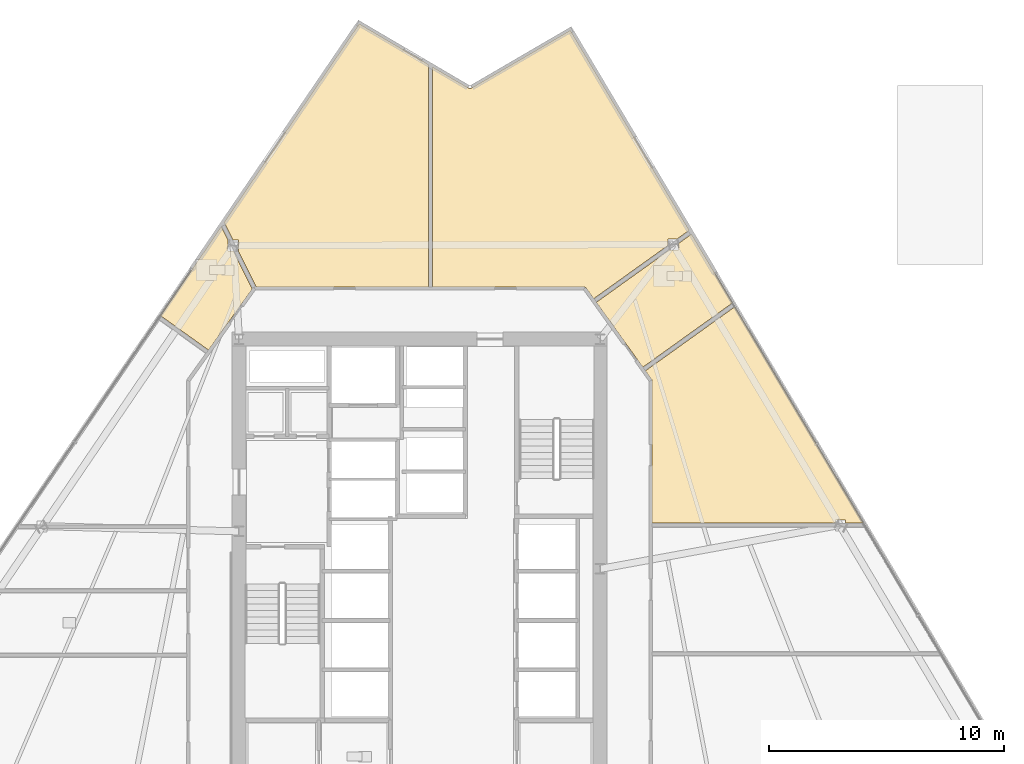
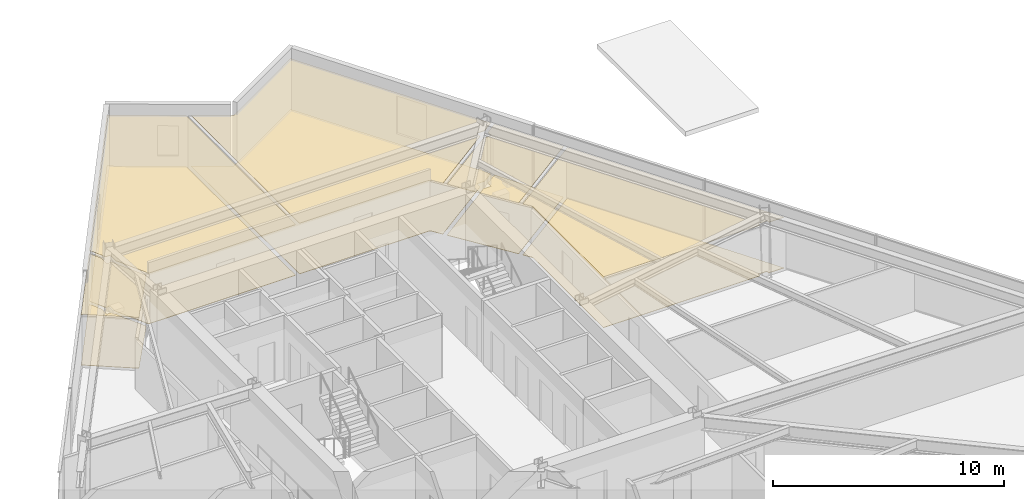
# One storey, part 15 of 16: 10 coverings.
"""IFC4 building model written with IfcOpenShell, lengths in metres."""

from ifc_helpers import new_model, si_unit, direction, frame, origin, place, context, subcontext, project, spatial, polyline, outline, extrude, material, layer, layer_set, type_object, element, save


model = new_model("IFC4")

# Units and contexts
model_context = context("Model", 3, precision=1e-05, world=origin(), true_north=direction((0.0, 1.0)))
body_context = subcontext(model_context, "Body", "Model", "MODEL_VIEW")
ifc_project = project(units=[si_unit("LENGTHUNIT", "METRE"), si_unit("AREAUNIT", "SQUARE_METRE"), si_unit("VOLUMEUNIT", "CUBIC_METRE"), si_unit("PLANEANGLEUNIT", "RADIAN"), si_unit("MASSUNIT", "GRAM", prefix="KILO")], contexts=[model_context])

# Site, building, storey
site_placement = place(None, origin())
site = spatial("IfcSite", under=ifc_project, at=site_placement, CompositionType="ELEMENT")
building_placement = place(site_placement, origin())
building = spatial("IfcBuilding", under=site, at=building_placement, Name="Savorim Split Tower", CompositionType="ELEMENT")
storey_placement = place(building_placement, frame((0.0, 0.0, 30.0)))
storey = spatial("IfcBuildingStorey", under=building, at=storey_placement, Name="L07", CompositionType="ELEMENT", Elevation=30.0)

# Coverings
ifc_material_1 = material(Name="Mineral Fibre Acoustic Ceiling")
ifc_layer_1 = layer(ifc_material_1, 0.02490234375)
ifc_layer_set_1 = layer_set([ifc_layer_1], Name="COV-CEIL-25")
covering_type_1 = type_object("IfcCoveringType", Name="COV-CEIL-25", PredefinedType="CEILING", material=ifc_layer_set_1)
covering_1_placement = place(storey_placement, frame((0.0, 0.0, 2.669921875)))
element("IfcCovering", 1, at=covering_1_placement, inside=storey, type_object=covering_type_1, Name="L07 Co-Working Commons Acoustic Ceiling", PredefinedType="CEILING", context=body_context, shape_type="SweptSolid", body=[
    extrude(outline(polyline([(18.16552734375, 2.48681640625), (18.16552734375, 2.348876953125), (18.926513671875, 2.348876953125), (18.927978515625, 2.348876953125), (13.44189453125, 11.5751953125), (9.6328125, 8.845947265625), (9.893798828125, 8.4814453125), (9.901611328125, 8.46923828125), (9.908203125, 8.456298828125), (9.913330078125, 8.44287109375), (9.9169921875, 8.4287109375), (9.919189453125, 8.41455078125), (9.919921875, 8.39990234375), (9.919921875, 2.348876953125), (17.7294921875, 2.348876953125), (17.7294921875, 2.48681640625), (18.16552734375, 2.48681640625)])), origin(), (0.0, 0.0, 1.0), 0.025146484375),
])
covering_2_placement = place(storey_placement, frame((0.0, 0.0, 2.669921875)))
element("IfcCovering", 2, at=covering_2_placement, inside=storey, type_object=covering_type_1, Name="L07 Shared Bathroom Acoustic Ceiling", PredefinedType="CEILING", context=body_context, shape_type="SweptSolid", body=[
    extrude(outline(polyline([(10.660400390625, 14.00390625), (7.539306640625, 11.767578125), (7.539306640625, 11.767578125), (9.52197265625, 9.00048828125), (13.34423828125, 11.7392578125), (11.59814453125, 14.67578125), (11.040283203125, 14.276123046875), (11.040283203125, 14.00390625), (10.660400390625, 14.00390625)])), origin(), (0.0, 0.0, 1.0), 0.025146484375),
])
covering_3_placement = place(storey_placement, frame((0.0, 0.0, 2.669921875)))
element("IfcCovering", 3, at=covering_3_placement, inside=storey, type_object=covering_type_1, Name="L07 Co-Working Commons Acoustic Ceiling", PredefinedType="CEILING", context=body_context, shape_type="SweptSolid", body=[
    extrude(outline(polyline([(2.110107421875, 20.895263671875), (2.099365234375, 20.899658203125), (2.089111328125, 20.90478515625), (0.563232421875, 21.8017578125), (0.563232421875, 12.419921875), (7.0, 12.419921875), (7.01318359375, 12.41943359375), (7.0263671875, 12.41748046875), (7.039306640625, 12.414306640625), (7.052001953125, 12.409912109375), (7.06396484375, 12.404541015625), (7.075439453125, 12.39794921875), (7.086181640625, 12.39013671875), (7.096435546875, 12.381591796875), (7.105712890625, 12.3720703125), (7.11376953125, 12.361572265625), (7.4287109375, 11.922119140625), (10.604248046875, 14.197509765625), (10.604248046875, 14.4697265625), (10.984375, 14.4697265625), (11.453369140625, 14.8056640625), (11.500732421875, 14.839599609375), (6.431396484375, 23.36474609375), (2.21044921875, 20.90478515625), (2.2001953125, 20.8994140625), (2.189453125, 20.89501953125), (2.178466796875, 20.891845703125), (2.1669921875, 20.8896484375), (2.155517578125, 20.888427734375), (2.14404296875, 20.888427734375), (2.132568359375, 20.8896484375), (2.12109375, 20.891845703125), (2.110107421875, 20.895263671875)])), origin(), (0.0, 0.0, 1.0), 0.025146484375),
])
covering_4_placement = place(storey_placement, frame((0.0, 0.0, 2.669921875)))
element("IfcCovering", 4, at=covering_4_placement, inside=storey, type_object=covering_type_1, Name="L07 Maker Workshop Acoustic Ceiling", PredefinedType="CEILING", context=body_context, shape_type="SweptSolid", body=[
    extrude(outline(polyline([(-6.965576171875, 12.419921875), (0.373291015625, 12.419921875), (0.373291015625, 21.91357421875), (-2.572509765625, 23.644775390625), (-8.348388671875, 15.154296875), (-8.32275390625, 15.1669921875), (-7.9541015625, 14.4208984375), (-7.72705078125, 14.4208984375), (-7.72705078125, 13.961181640625), (-6.978759765625, 12.446533203125), (-6.965576171875, 12.419921875)])), origin(), (0.0, 0.0, 1.0), 0.025146484375),
])
covering_5_placement = place(storey_placement, frame((0.0, 0.0, 2.669921875)))
element("IfcCovering", 5, at=covering_5_placement, inside=storey, type_object=covering_type_1, Name="L07 Shared Bathroom Acoustic Ceiling", PredefinedType="CEILING", context=body_context, shape_type="SweptSolid", body=[
    extrude(outline(polyline([(-8.1630859375, 13.955078125), (-8.1630859375, 14.414794921875), (-8.450927734375, 14.99755859375), (-8.45263671875, 15.0009765625), (-11.04150390625, 11.1953125), (-8.998291015625, 9.7314453125), (-7.134521484375, 12.332763671875), (-7.935791015625, 13.955078125), (-8.1630859375, 13.955078125)])), origin(), (0.0, 0.0, 1.0), 0.025146484375),
])
ifc_material_2 = material(Name="Porcelain Stoneware Flooring", Category="masonry")
ifc_layer_2 = layer(ifc_material_2, 0.02001953125)
ifc_layer_set_2 = layer_set([ifc_layer_2], Name="COV-FLOR-20")
covering_type_2 = type_object("IfcCoveringType", Name="COV-FLOR-20", PredefinedType="FLOORING", material=ifc_layer_set_2)
covering_6_placement = place(storey_placement, origin())
element("IfcCovering", 6, at=covering_6_placement, inside=storey, type_object=covering_type_2, Name="L07 Co-Working Commons Porcelain Flooring", PredefinedType="FLOORING", context=body_context, shape_type="SweptSolid", body=[
    extrude(outline(polyline([(18.16552734375, 2.48681640625), (18.16552734375, 2.348876953125), (18.926513671875, 2.348876953125), (18.927978515625, 2.348876953125), (13.44189453125, 11.5751953125), (9.6328125, 8.845947265625), (9.893798828125, 8.4814453125), (9.901611328125, 8.46923828125), (9.908203125, 8.456298828125), (9.913330078125, 8.44287109375), (9.9169921875, 8.4287109375), (9.919189453125, 8.41455078125), (9.919921875, 8.39990234375), (9.919921875, 2.348876953125), (17.7294921875, 2.348876953125), (17.7294921875, 2.48681640625), (18.16552734375, 2.48681640625)])), origin(), (0.0, 0.0, 1.0), 0.02001953125),
])
covering_7_placement = place(storey_placement, origin())
element("IfcCovering", 7, at=covering_7_placement, inside=storey, type_object=covering_type_2, Name="L07 Shared Bathroom Porcelain Flooring", PredefinedType="FLOORING", context=body_context, shape_type="SweptSolid", body=[
    extrude(outline(polyline([(10.660400390625, 14.00390625), (7.539306640625, 11.767578125), (7.539306640625, 11.767578125), (9.52197265625, 9.00048828125), (13.34423828125, 11.7392578125), (11.59814453125, 14.67578125), (11.040283203125, 14.276123046875), (11.040283203125, 14.00390625), (10.660400390625, 14.00390625)])), origin(), (0.0, 0.0, 1.0), 0.02001953125),
])
covering_8_placement = place(storey_placement, origin())
element("IfcCovering", 8, at=covering_8_placement, inside=storey, type_object=covering_type_2, Name="L07 Co-Working Commons Porcelain Flooring", PredefinedType="FLOORING", context=body_context, shape_type="SweptSolid", body=[
    extrude(outline(polyline([(2.110107421875, 20.895263671875), (2.099365234375, 20.899658203125), (2.089111328125, 20.90478515625), (0.563232421875, 21.8017578125), (0.563232421875, 12.419921875), (7.0, 12.419921875), (7.01318359375, 12.41943359375), (7.0263671875, 12.41748046875), (7.039306640625, 12.414306640625), (7.052001953125, 12.409912109375), (7.06396484375, 12.404541015625), (7.075439453125, 12.39794921875), (7.086181640625, 12.39013671875), (7.096435546875, 12.381591796875), (7.105712890625, 12.3720703125), (7.11376953125, 12.361572265625), (7.4287109375, 11.922119140625), (10.604248046875, 14.197509765625), (10.604248046875, 14.4697265625), (10.984375, 14.4697265625), (11.453369140625, 14.8056640625), (11.500732421875, 14.839599609375), (6.431396484375, 23.36474609375), (2.21044921875, 20.90478515625), (2.2001953125, 20.8994140625), (2.189453125, 20.89501953125), (2.178466796875, 20.891845703125), (2.1669921875, 20.8896484375), (2.155517578125, 20.888427734375), (2.14404296875, 20.888427734375), (2.132568359375, 20.8896484375), (2.12109375, 20.891845703125), (2.110107421875, 20.895263671875)])), origin(), (0.0, 0.0, 1.0), 0.02001953125),
])
covering_9_placement = place(storey_placement, origin())
element("IfcCovering", 9, at=covering_9_placement, inside=storey, type_object=covering_type_2, Name="L07 Maker Workshop Porcelain Flooring", PredefinedType="FLOORING", context=body_context, shape_type="SweptSolid", body=[
    extrude(outline(polyline([(-6.965576171875, 12.419921875), (0.373291015625, 12.419921875), (0.373291015625, 21.91357421875), (-2.572509765625, 23.644775390625), (-8.348388671875, 15.154296875), (-8.32275390625, 15.1669921875), (-7.9541015625, 14.4208984375), (-7.72705078125, 14.4208984375), (-7.72705078125, 13.961181640625), (-6.978759765625, 12.446533203125), (-6.965576171875, 12.419921875)])), origin(), (0.0, 0.0, 1.0), 0.02001953125),
])
covering_10_placement = place(storey_placement, origin())
element("IfcCovering", 10, at=covering_10_placement, inside=storey, type_object=covering_type_2, Name="L07 Shared Bathroom Porcelain Flooring", PredefinedType="FLOORING", context=body_context, shape_type="SweptSolid", body=[
    extrude(outline(polyline([(-8.1630859375, 13.955078125), (-8.1630859375, 14.414794921875), (-8.450927734375, 14.99755859375), (-8.45263671875, 15.0009765625), (-11.04150390625, 11.1953125), (-8.998291015625, 9.7314453125), (-7.134521484375, 12.332763671875), (-7.935791015625, 13.955078125), (-8.1630859375, 13.955078125)])), origin(), (0.0, 0.0, 1.0), 0.02001953125),
])

save(model, "model.ifc")
